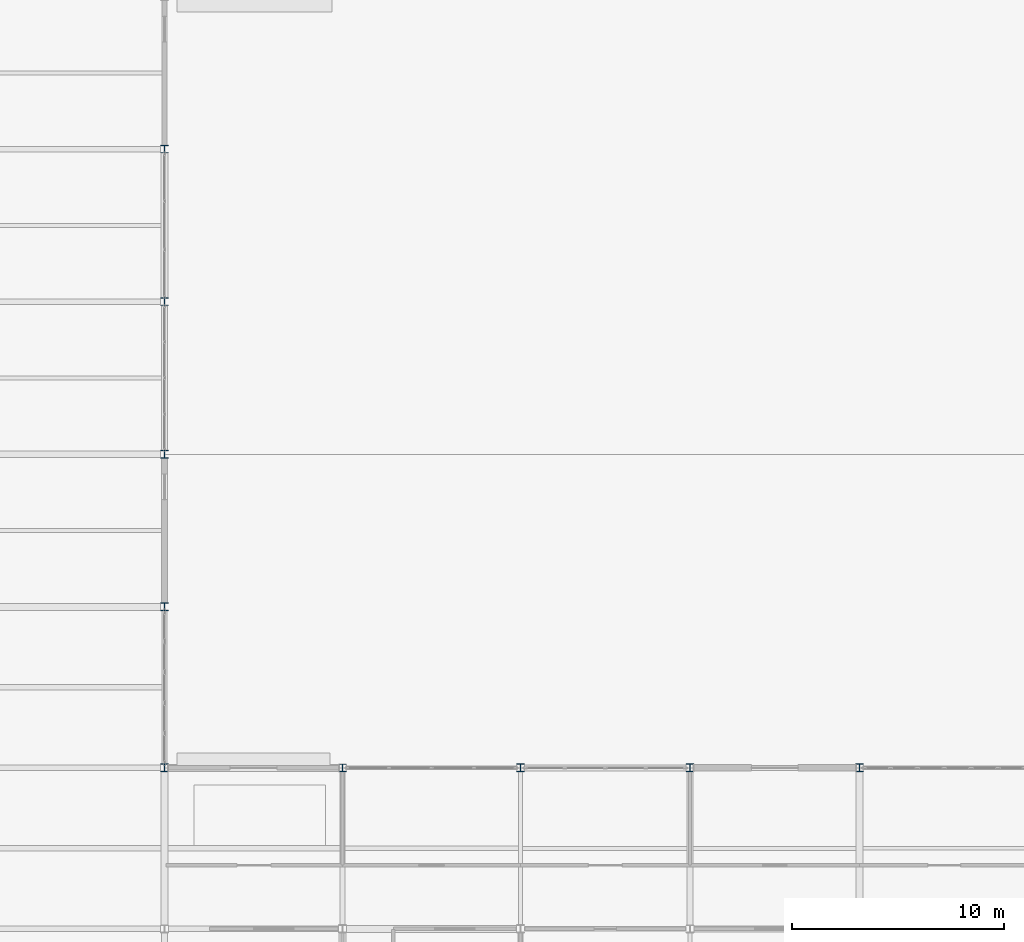
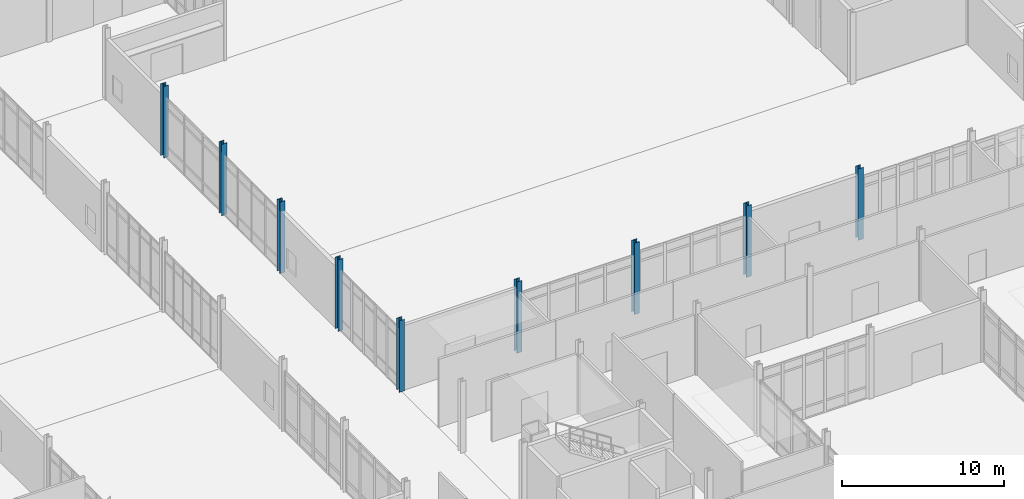
# One storey, part 14 of 229: 9 columns.
"""IFC4 building model written with IfcOpenShell, lengths in metres."""

from ifc_helpers import new_model, si_unit, direction, frame, origin, origin_2d, place, context, subcontext, project, spatial, i_section, extrude, material, material_profile, profile_set, type_object, element, save


model = new_model("IFC4")

# Units and contexts
model_context = context("Model", 3, precision=1e-05, world=origin(), true_north=direction((0.0, 1.0)))
body_context = subcontext(model_context, "Body", "Model", "MODEL_VIEW")
ifc_project = project(units=[si_unit("LENGTHUNIT", "METRE"), si_unit("AREAUNIT", "SQUARE_METRE"), si_unit("VOLUMEUNIT", "CUBIC_METRE"), si_unit("PLANEANGLEUNIT", "RADIAN"), si_unit("MASSUNIT", "GRAM", prefix="KILO")], contexts=[model_context])

# Site, building, storey
site_placement = place(None, origin())
site = spatial("IfcSite", under=ifc_project, at=site_placement, CompositionType="ELEMENT")
building_placement = place(site_placement, origin())
building = spatial("IfcBuilding", under=site, at=building_placement, Name="Calvrana Isthmian Art Gallery", CompositionType="ELEMENT")
storey_placement = place(building_placement, origin())
storey = spatial("IfcBuildingStorey", under=building, at=storey_placement, Name="L00", CompositionType="ELEMENT", Elevation=0.0)

# Columns
ifc_material = material(Name="Steel ASTM A992 Gr 50", Category="steel")
ifc_material_profile_1 = material_profile(ifc_material, i_section(OverallWidth=0.37109375, OverallDepth=0.363037109375, WebThickness=0.01318359375, FlangeThickness=0.021728515625, FilletRadius=0.02490234375, at=origin_2d()), Name="W14X109")
ifc_profile_set_1 = profile_set([ifc_material_profile_1], Name="Steel ASTM A992 Gr 50")
column_type_1 = type_object("IfcColumnType", Name="COL-STL-W14X109", PredefinedType="COLUMN", material=ifc_profile_set_1)
for number, where, z_axis, x_axis, name in (
    (1, (63.60009765625, 62.0, 0.0), (0.0, 0.0, 1.0), (1.0, 0.0, 0.0), "Column 09/I L00"),
    (2, (63.60009765625, 91.199951171875, 0.0), (0.0, 0.0, 1.0), (1.0, 0.0, 0.0), "Column 09/M L00"),
    (3, (96.39990234375, 62.0, 0.0), (0.0, 0.0, 1.0), (1.0, 0.0, 0.0), "Column 13/I L00"),
):
    element("IfcColumn", number, at=place(storey_placement, frame(where, z_axis=z_axis, x_axis=x_axis)), inside=storey, type_object=column_type_1, Name=name, PredefinedType="COLUMN", context=body_context, shape_type="SweptSolid", body=[
        extrude(i_section(OverallWidth=0.37109375, OverallDepth=0.363037109375, WebThickness=0.01318359375, FlangeThickness=0.021728515625, FilletRadius=0.02490234375, at=origin_2d()), origin(), (0.0, 0.0, 1.0), 5.39990234375),
    ])
ifc_material_profile_2 = material_profile(ifc_material, i_section(OverallWidth=0.373046875, OverallDepth=0.367919921875, WebThickness=0.014892578125, FlangeThickness=0.02392578125, FilletRadius=0.02490234375, at=origin_2d()), Name="W14X120")
ifc_profile_set_2 = profile_set([ifc_material_profile_2], Name="Steel ASTM A992 Gr 50")
column_type_2 = type_object("IfcColumnType", Name="COL-STL-W14X120", PredefinedType="COLUMN", material=ifc_profile_set_2)
for number, where, z_axis, x_axis, name in (
    (4, (63.60009765625, 69.60009765625, 0.0), (0.0, 0.0, 1.0), (1.0, 0.0, 0.0), "Column 09/J L00"),
    (5, (88.39990234375, 62.0, 0.0), (0.0, 0.0, 1.0), (1.0, 0.0, 0.0), "Column 12/I L00"),
):
    element("IfcColumn", number, at=place(storey_placement, frame(where, z_axis=z_axis, x_axis=x_axis)), inside=storey, type_object=column_type_2, Name=name, PredefinedType="COLUMN", context=body_context, shape_type="SweptSolid", body=[
        extrude(i_section(OverallWidth=0.373046875, OverallDepth=0.367919921875, WebThickness=0.014892578125, FlangeThickness=0.02392578125, FilletRadius=0.02490234375, at=origin_2d()), origin(), (0.0, 0.0, 1.0), 5.39990234375),
    ])
ifc_material_profile_3 = material_profile(ifc_material, i_section(OverallWidth=0.373046875, OverallDepth=0.373046875, WebThickness=0.016357421875, FlangeThickness=0.026123046875, FilletRadius=0.02490234375, at=origin_2d()), Name="W14X132")
ifc_profile_set_3 = profile_set([ifc_material_profile_3], Name="Steel ASTM A992 Gr 50")
column_type_3 = type_object("IfcColumnType", Name="COL-STL-W14X132", PredefinedType="COLUMN", material=ifc_profile_set_3)
for number, where, z_axis, x_axis, name in (
    (6, (63.60009765625, 76.800048828125, 0.0), (0.0, 0.0, 1.0), (1.0, 0.0, 0.0), "Column 09/K L00"),
    (7, (80.39990234375, 62.0, 0.0), (0.0, 0.0, 1.0), (1.0, 0.0, 0.0), "Column 11/I L00"),
):
    element("IfcColumn", number, at=place(storey_placement, frame(where, z_axis=z_axis, x_axis=x_axis)), inside=storey, type_object=column_type_3, Name=name, PredefinedType="COLUMN", context=body_context, shape_type="SweptSolid", body=[
        extrude(i_section(OverallWidth=0.373046875, OverallDepth=0.373046875, WebThickness=0.016357421875, FlangeThickness=0.026123046875, FilletRadius=0.02490234375, at=origin_2d()), origin(), (0.0, 0.0, 1.0), 5.39990234375),
    ])
ifc_material_profile_4 = material_profile(ifc_material, i_section(OverallWidth=0.367919921875, OverallDepth=0.35595703125, WebThickness=0.01123046875, FlangeThickness=0.01806640625, FilletRadius=0.02490234375, at=origin_2d()), Name="W14X90")
ifc_profile_set_4 = profile_set([ifc_material_profile_4], Name="Steel ASTM A992 Gr 50")
column_type_4 = type_object("IfcColumnType", Name="COL-STL-W14X90", PredefinedType="COLUMN", material=ifc_profile_set_4)
for number, where, z_axis, x_axis, name in (
    (8, (63.60009765625, 84.0, 0.0), (0.0, 0.0, 1.0), (1.0, 0.0, 0.0), "Column 09/L L00"),
    (9, (72.0, 62.0, 0.0), (0.0, 0.0, 1.0), (1.0, 0.0, 0.0), "Column 10/I L00"),
):
    element("IfcColumn", number, at=place(storey_placement, frame(where, z_axis=z_axis, x_axis=x_axis)), inside=storey, type_object=column_type_4, Name=name, PredefinedType="COLUMN", context=body_context, shape_type="SweptSolid", body=[
        extrude(i_section(OverallWidth=0.367919921875, OverallDepth=0.35595703125, WebThickness=0.01123046875, FlangeThickness=0.01806640625, FilletRadius=0.02490234375, at=origin_2d()), origin(), (0.0, 0.0, 1.0), 5.39990234375),
    ])

save(model, "model.ifc")
